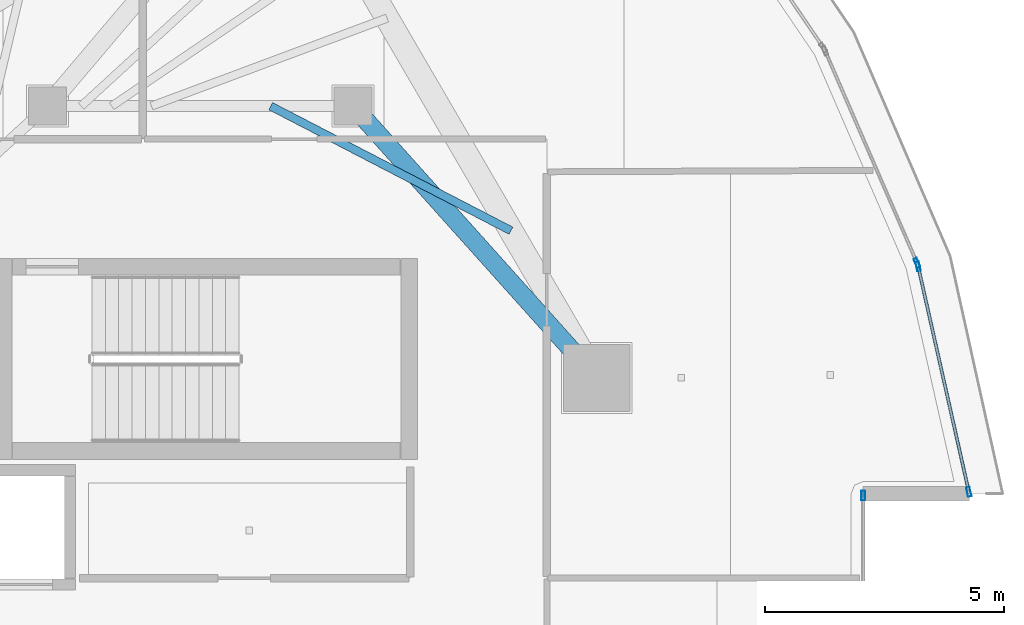
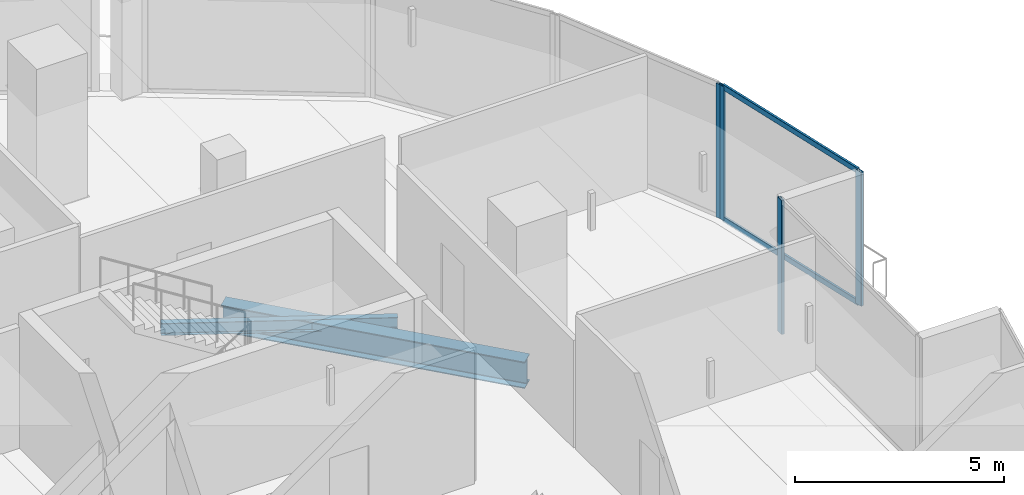
# One storey, part 9 of 23: 6 members, 2 beams, 3 elements without a shape of their own.
"""IFC4 building model written with IfcOpenShell, lengths in metres."""

from ifc_helpers import new_model, si_unit, direction, frame, origin, origin_2d, place, context, subcontext, project, spatial, hollow_rectangle, i_section, extrude, material, layer, layer_set, material_profile, profile_set, type_object, element, aggregate, save


model = new_model("IFC4")

# Units and contexts
model_context = context("Model", 3, precision=1e-05, world=origin(), true_north=direction((0.0, 1.0)))
body_context = subcontext(model_context, "Body", "Model", "MODEL_VIEW")
ifc_project = project(units=[si_unit("LENGTHUNIT", "METRE"), si_unit("AREAUNIT", "SQUARE_METRE"), si_unit("VOLUMEUNIT", "CUBIC_METRE"), si_unit("PLANEANGLEUNIT", "RADIAN"), si_unit("MASSUNIT", "GRAM", prefix="KILO")], contexts=[model_context])

# Site, building, storey
site_placement = place(None, origin())
site = spatial("IfcSite", under=ifc_project, at=site_placement, CompositionType="ELEMENT")
building_placement = place(site_placement, origin())
building = spatial("IfcBuilding", under=site, at=building_placement, Name="Qorvath Tower", CompositionType="ELEMENT")
storey_placement = place(building_placement, frame((0.0, 0.0, 310.199951171875)))
storey = spatial("IfcBuildingStorey", under=building, at=storey_placement, Name="L72", CompositionType="ELEMENT", Elevation=310.199951171875)

# Beams
ifc_material_1 = material(Name="Steel ASTM A992 Grade 50", Category="steel")
ifc_material_profile_1 = material_profile(ifc_material_1, i_section(OverallWidth=0.381103515625, OverallDepth=0.77294921875, WebThickness=0.0166015625, FlangeThickness=0.027099609375, FilletRadius=0.01904296875, at=origin_2d()), Name="W30x173")
ifc_profile_set_1 = profile_set([ifc_material_profile_1], Name="Steel ASTM A992 Grade 50")
beam_type_1 = type_object("IfcBeamType", Name="BM-FG3", PredefinedType="BEAM", material=ifc_profile_set_1)
beam_1_placement = place(storey_placement, frame((-17.199951171875, 11.449951171875, -0.676513671875), z_axis=(0.667543184261, -0.744571082669, 0.0), x_axis=(0.744571082669, 0.667543184261, 0.0)))
element("IfcBeam", 1, at=beam_1_placement, inside=storey, type_object=beam_type_1, Name="Radial Floor Girder CC2-MC5 L72", PredefinedType="BEAM", context=body_context, shape_type="SweptSolid", body=[
    extrude(i_section(OverallWidth=0.381103515625, OverallDepth=0.77294921875, WebThickness=0.0166015625, FlangeThickness=0.027099609375, FilletRadius=0.01904296875, at=origin_2d()), origin(), (0.0, 0.0, 1.0), 7.644775390625),
])
ifc_material_2 = material(Name="Steel ASTM A992 Grade 50", Category="steel")
ifc_material_profile_2 = material_profile(ifc_material_2, i_section(OverallWidth=0.1708984375, OverallDepth=0.35107421875, WebThickness=0.0068359375, FlangeThickness=0.009765625, FilletRadius=0.010009765625, at=origin_2d()), Name="W14x30")
ifc_profile_set_2 = profile_set([ifc_material_profile_2], Name="Steel ASTM A992 Grade 50")
beam_type_2 = type_object("IfcBeamType", Name="BM-FJ4", PredefinedType="JOIST", material=ifc_profile_set_2)
beam_2_placement = place(storey_placement, frame((-18.927978515625, 11.449951171875, -0.465576171875), z_axis=(0.887840529015, -0.460151274082, 0.0), x_axis=(0.460151274082, 0.887840529015, 0.0)))
element("IfcBeam", 2, at=beam_2_placement, inside=storey, type_object=beam_type_2, Name="Composite Floor Joist NE2 L72", PredefinedType="JOIST", context=body_context, shape_type="SweptSolid", body=[
    extrude(i_section(OverallWidth=0.1708984375, OverallDepth=0.35107421875, WebThickness=0.0068359375, FlangeThickness=0.009765625, FilletRadius=0.010009765625, at=origin_2d()), origin(), (0.0, 0.0, 1.0), 5.670654296875),
])

# Curtain wall, member
ifc_material_3 = material(Name="Anodised aluminium and triple low-E glass", Category="aluminium")
ifc_layer = layer(ifc_material_3, 0.179931640625)
ifc_layer_set = layer_set([ifc_layer], Name="CW-SYS-4")
curtain_wall_type = type_object("IfcCurtainWallType", Name="CW-SYS-4", PredefinedType="NOTDEFINED", material=ifc_layer_set)
curtain_wall_1_placement = place(storey_placement, origin())
curtain_wall_1 = element("IfcCurtainWall", 3, at=curtain_wall_1_placement, inside=storey, type_object=curtain_wall_type, Name="Curtain Wall CW-4 CW-T-L72-9.1", PredefinedType="NOTDEFINED")
ifc_material_4 = material(Name="Anodised aluminium 6063-T6", Category="aluminium")
ifc_material_profile_3 = material_profile(ifc_material_4, hollow_rectangle(XDim=0.074951171875, YDim=0.199951171875, WallThickness=0.00390625, InnerFilletRadius=0.00390625, OuterFilletRadius=0.008056640625, at=origin_2d()), Name="CWM 200x75")
ifc_profile_set_3 = profile_set([ifc_material_profile_3], Name="Anodised aluminium 6063-T6")
member_type_1 = type_object("IfcMemberType", Name="CWM-200", PredefinedType="MULLION", material=ifc_profile_set_3)
member_1_placement = place(storey_placement, frame((-6.51513671875, 3.294189453125, 0.0), z_axis=(0.0, 0.0, 1.0), x_axis=(-1.0, 0.0, 0.0)))
member_1 = element("IfcMember", 4, at=member_1_placement, type_object=member_type_1, Name="CW-4 mullion 2", PredefinedType="MULLION", context=body_context, shape_type="SweptSolid", body=[
    extrude(hollow_rectangle(XDim=0.074951171875, YDim=0.199951171875, WallThickness=0.00390625, InnerFilletRadius=0.00390625, OuterFilletRadius=0.008056640625, at=origin_2d()), origin(), (0.0, 0.0, 1.0), 3.91015625),
])
aggregate(curtain_wall_1, [member_1])

# Curtain wall, members
curtain_wall_2_placement = place(storey_placement, origin())
curtain_wall_2 = element("IfcCurtainWall", 5, at=curtain_wall_2_placement, inside=storey, type_object=curtain_wall_type, Name="Curtain Wall CW-4 CW-T-L72-11.1", PredefinedType="NOTDEFINED")
member_2_placement = place(storey_placement, frame((-4.30224609375, 3.368408203125, 0.0), z_axis=(0.0, 0.0, 1.0), x_axis=(-0.975618353838, -0.219473979449, 0.0)))
member_2 = element("IfcMember", 6, at=member_2_placement, type_object=member_type_1, Name="CW-4 mullion 1", PredefinedType="MULLION", context=body_context, shape_type="SweptSolid", body=[
    extrude(hollow_rectangle(XDim=0.074951171875, YDim=0.199951171875, WallThickness=0.00390625, InnerFilletRadius=0.00390625, OuterFilletRadius=0.008056640625, at=origin_2d()), origin(), (0.0, 0.0, 1.0), 3.91015625),
])
member_3_placement = place(storey_placement, frame((-5.365234375, 8.09423828125, 0.0), z_axis=(0.0, 0.0, 1.0), x_axis=(-0.975618353838, -0.219473979449, 0.0)))
member_3 = element("IfcMember", 7, at=member_3_placement, type_object=member_type_1, Name="CW-4 mullion 2", PredefinedType="MULLION", context=body_context, shape_type="SweptSolid", body=[
    extrude(hollow_rectangle(XDim=0.074951171875, YDim=0.199951171875, WallThickness=0.00390625, InnerFilletRadius=0.00390625, OuterFilletRadius=0.008056640625, at=origin_2d()), origin(), (0.0, 0.0, 1.0), 3.91015625),
])

# Curtain wall, member
curtain_wall_3_placement = place(storey_placement, origin())
curtain_wall_3 = element("IfcCurtainWall", 8, at=curtain_wall_3_placement, inside=storey, type_object=curtain_wall_type, Name="Curtain Wall CW-4 CW-T-L72-12.1", PredefinedType="NOTDEFINED")
member_4_placement = place(storey_placement, frame((-5.388427734375, 8.165283203125, 0.0), z_axis=(0.0, 0.0, 1.0), x_axis=(-0.917487130647, -0.397765464938, 0.0)))
member_4 = element("IfcMember", 9, at=member_4_placement, type_object=member_type_1, Name="CW-4 mullion 1", PredefinedType="MULLION", context=body_context, shape_type="SweptSolid", body=[
    extrude(hollow_rectangle(XDim=0.074951171875, YDim=0.199951171875, WallThickness=0.00390625, InnerFilletRadius=0.00390625, OuterFilletRadius=0.008056640625, at=origin_2d()), origin(), (0.0, 0.0, 1.0), 3.91015625),
])
aggregate(curtain_wall_3, [member_4])

# Member
ifc_material_5 = material(Name="Anodised aluminium 6063-T6", Category="aluminium")
ifc_material_profile_4 = material_profile(ifc_material_5, hollow_rectangle(XDim=0.06494140625, YDim=0.159912109375, WallThickness=0.00341796875, InnerFilletRadius=0.00341796875, OuterFilletRadius=0.007080078125, at=origin_2d()), Name="CWT 160x65")
ifc_profile_set_4 = profile_set([ifc_material_profile_4], Name="Anodised aluminium 6063-T6")
member_type_2 = type_object("IfcMemberType", Name="CWT-160", PredefinedType="USERDEFINED", material=ifc_profile_set_4)
member_5_placement = place(storey_placement, frame((-4.310302734375, 3.405029296875, 0.032470703125), z_axis=(-0.2194719944, 0.97561880039, 0.0), x_axis=(-0.97561880039, -0.2194719944, 0.0)))
member_5 = element("IfcMember", 10, at=member_5_placement, type_object=member_type_2, Name="CW-4 transom 1.1", ObjectType="TRANSOM", PredefinedType="USERDEFINED", context=body_context, shape_type="SweptSolid", body=[
    extrude(hollow_rectangle(XDim=0.06494140625, YDim=0.159912109375, WallThickness=0.00341796875, InnerFilletRadius=0.00341796875, OuterFilletRadius=0.007080078125, at=origin_2d()), origin(), (0.0, 0.0, 1.0), 4.768798828125),
])

member_6_placement = place(storey_placement, frame((-4.310302734375, 3.405029296875, 3.877685546875), z_axis=(-0.2194719944, 0.97561880039, 0.0), x_axis=(-0.97561880039, -0.2194719944, 0.0)))
member_6 = element("IfcMember", 11, at=member_6_placement, type_object=member_type_2, Name="CW-4 transom 1.2", ObjectType="TRANSOM", PredefinedType="USERDEFINED", context=body_context, shape_type="SweptSolid", body=[
    extrude(hollow_rectangle(XDim=0.06494140625, YDim=0.159912109375, WallThickness=0.00341796875, InnerFilletRadius=0.00341796875, OuterFilletRadius=0.007080078125, at=origin_2d()), origin(), (0.0, 0.0, 1.0), 4.768798828125),
])

aggregate(curtain_wall_2, [member_2, member_3, member_5, member_6])

save(model, "model.ifc")
